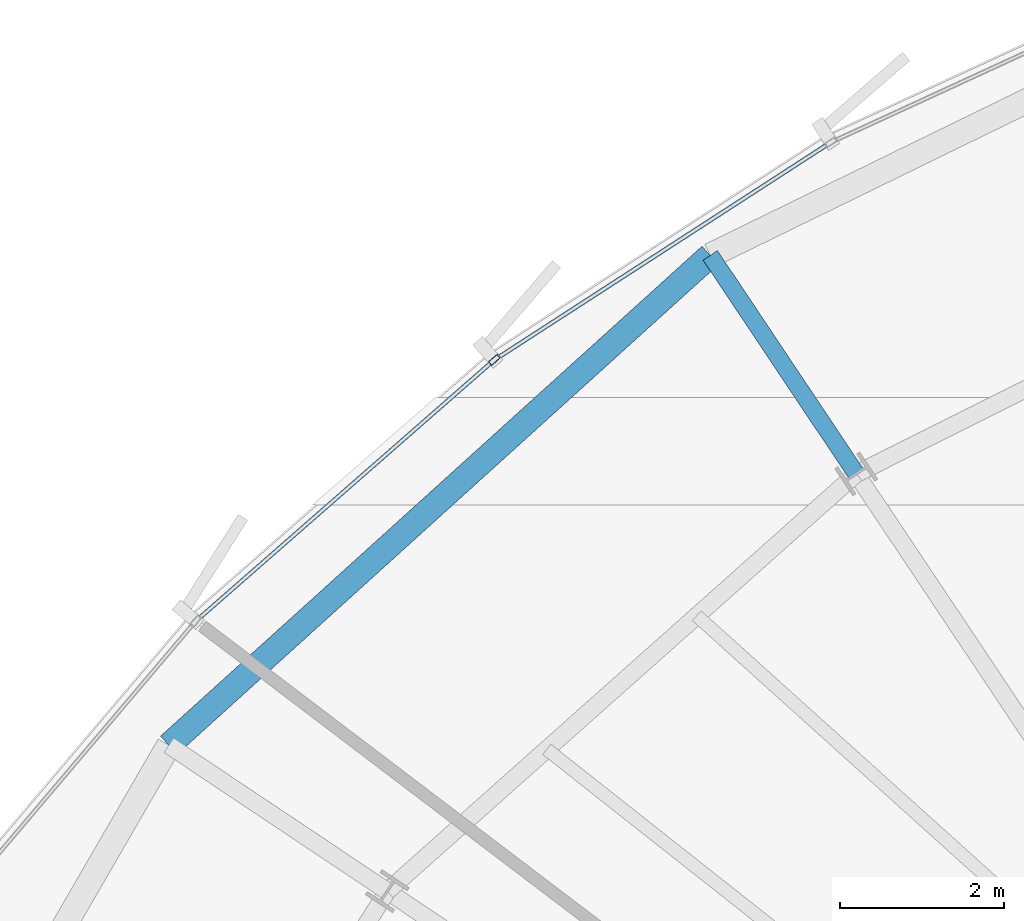
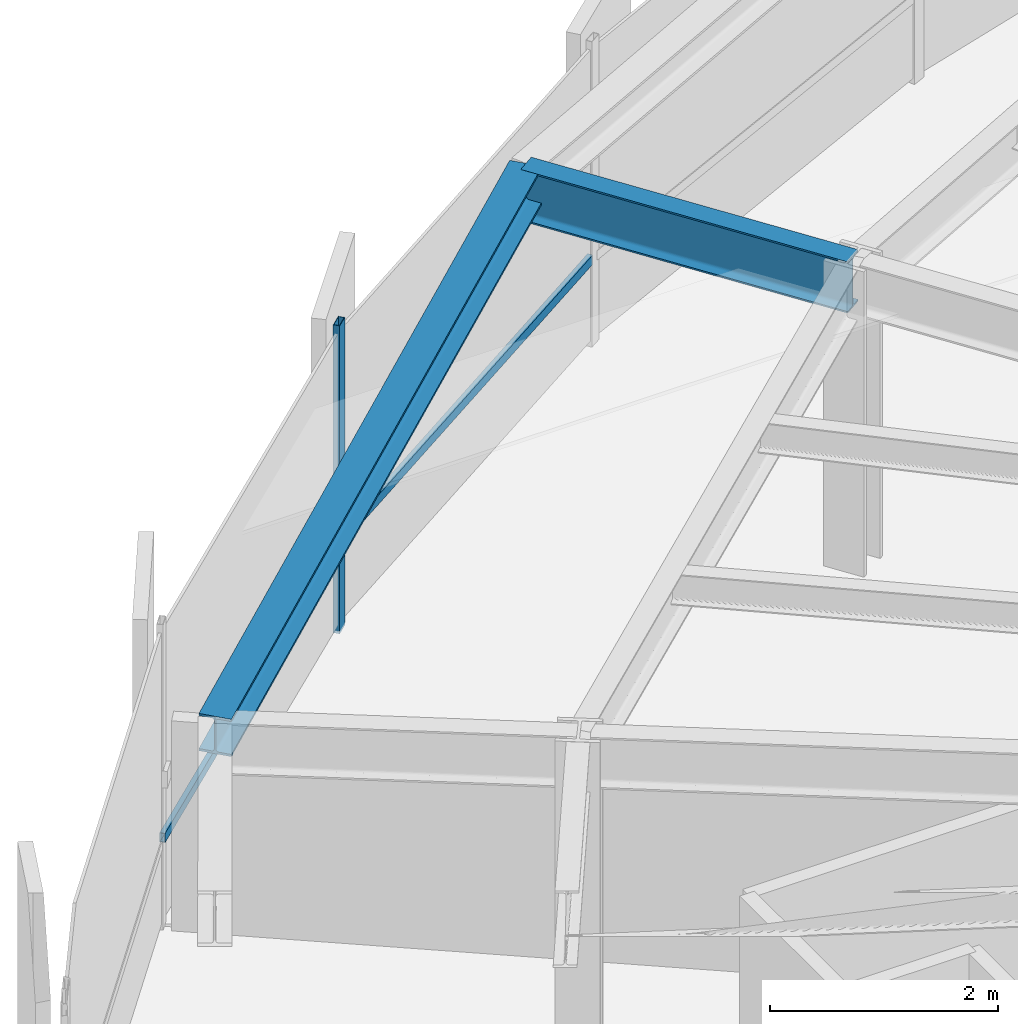
# One storey, part 19 of 36: 3 members, 2 beams, 1 element without a shape of its own.
"""IFC4 building model written with IfcOpenShell, lengths in metres."""

from ifc_helpers import new_model, si_unit, direction, frame, origin, origin_2d, place, context, subcontext, project, spatial, hollow_rectangle, i_section, extrude, source, transform, mapped, material, layer, layer_set, material_profile, profile_set, type_object, element, aggregate, save


model = new_model("IFC4")

# Units and contexts
model_context = context("Model", 3, precision=1e-05, world=origin(), true_north=direction((0.0, 1.0)))
body_context = subcontext(model_context, "Body", "Model", "MODEL_VIEW")
ifc_project = project(units=[si_unit("LENGTHUNIT", "METRE"), si_unit("AREAUNIT", "SQUARE_METRE"), si_unit("VOLUMEUNIT", "CUBIC_METRE"), si_unit("PLANEANGLEUNIT", "RADIAN"), si_unit("MASSUNIT", "GRAM", prefix="KILO"), si_unit("THERMODYNAMICTEMPERATUREUNIT", "KELVIN")], contexts=[model_context])

# Site, building, storey
site_placement = place(None, origin())
site = spatial("IfcSite", under=ifc_project, at=site_placement, CompositionType="ELEMENT")
building_placement = place(site_placement, origin())
building = spatial("IfcBuilding", under=site, at=building_placement, Name="Kethvar Cultural Tower", CompositionType="ELEMENT")
storey_placement = place(building_placement, frame((0.0, 0.0, 150.10009765625)))
storey = spatial("IfcBuildingStorey", under=building, at=storey_placement, Name="L38", CompositionType="ELEMENT", Elevation=150.10009765625)

# Beams
ifc_material_1 = material(Name="Steel S355J2", Category="steel")
ifc_material_profile_1 = material_profile(ifc_material_1, i_section(OverallWidth=0.2099609375, OverallDepth=0.550048828125, WebThickness=0.010986328125, FlangeThickness=0.01708984375, FilletRadius=0.02392578125, at=origin_2d()), Name="Steel S355J2 — IPE550")
ifc_profile_set_1 = profile_set([ifc_material_profile_1], Name="Steel S355J2 — IPE550")
beam_type_1 = type_object("IfcBeamType", Name="BM-IPE550", PredefinedType="BEAM", material=ifc_profile_set_1)
shared_shape_1 = source(origin(), body_context, "Body", "SweptSolid", [
    extrude(i_section(OverallWidth=0.2099609375, OverallDepth=0.550048828125, WebThickness=0.010986328125, FlangeThickness=0.01708984375, FilletRadius=0.02392578125, at=origin_2d()), origin(), (0.0, 0.0, 1.0), 3.2001953125),
])
beam_1_placement = place(storey_placement, frame((36.0576171875, 43.877197265625, 3.02294921875), z_axis=(-0.555544970406, 0.831486491686, 0.0), x_axis=(-0.831486491686, -0.555544970406, 0.0)))
element("IfcBeam", 1, at=beam_1_placement, inside=storey, type_object=beam_type_1, Name="L38 Perimeter Cantilever Beam RC-06", PredefinedType="BEAM", context=body_context, shape_type="MappedRepresentation", body=[
    mapped(shared_shape_1, transform((0.0, 0.0, 0.0), scale=1.0)),
])
ifc_material_profile_2 = material_profile(ifc_material_1, i_section(OverallWidth=0.300048828125, OverallDepth=0.39990234375, WebThickness=0.013427734375, FlangeThickness=0.02392578125, FilletRadius=0.027099609375, at=origin_2d()), Name="Steel S355J2 — HEB400")
ifc_profile_set_2 = profile_set([ifc_material_profile_2], Name="Steel S355J2 — HEB400")
beam_type_2 = type_object("IfcBeamType", Name="BM-SP400", PredefinedType="SPANDREL", material=ifc_profile_set_2)
shared_shape_2 = source(origin(), body_context, "Body", "SweptSolid", [
    extrude(i_section(OverallWidth=0.300048828125, OverallDepth=0.39990234375, WebThickness=0.013427734375, FlangeThickness=0.02392578125, FilletRadius=0.027099609375, at=origin_2d()), origin(), (0.0, 0.0, 1.0), 8.892822265625),
])
beam_2_placement = place(storey_placement, frame((34.27978515625, 46.5380859375, 3.097900390625), z_axis=(-0.741556591679, -0.670890319901, 0.0), x_axis=(0.670890319901, -0.741556591679, 0.0)))
element("IfcBeam", 2, at=beam_2_placement, inside=storey, type_object=beam_type_2, Name="L38 Perimeter Spandrel Beam SP-06", PredefinedType="SPANDREL", context=body_context, shape_type="MappedRepresentation", body=[
    mapped(shared_shape_2, transform((0.0, 0.0, 0.0), scale=1.0)),
])

# Curtain wall, members
ifc_material_2 = material(Name="Aluminium 6063-T6", Category="aluminium")
ifc_layer = layer(ifc_material_2, 0.179931640625, Name="Aluminium 6063-T6", Category="aluminium")
ifc_layer_set = layer_set([ifc_layer], Name="Aluminium 6063-T6 (180 mm)")
curtain_wall_type = type_object("IfcCurtainWallType", Name="CW-SYS-04-Z34", PredefinedType="NOTDEFINED", material=ifc_layer_set)
curtain_wall_placement = place(storey_placement, origin())
curtain_wall = element("IfcCurtainWall", 3, at=curtain_wall_placement, inside=storey, type_object=curtain_wall_type, Name="L38 Curtain Wall Run 02", PredefinedType="NOTDEFINED")
ifc_material_profile_3 = material_profile(ifc_material_2, hollow_rectangle(XDim=0.06005859375, YDim=0.139892578125, WallThickness=0.0048828125, at=origin_2d()), Name="Aluminium 6063-T6 — RHS140x60x5")
ifc_profile_set_3 = profile_set([ifc_material_profile_3], Name="Aluminium 6063-T6 — RHS140x60x5")
member_type_1 = type_object("IfcMemberType", Name="CW-SYS-04-Z34-MUL", PredefinedType="MULLION", material=ifc_profile_set_3)
shared_shape_3 = source(origin(), body_context, "Body", "SweptSolid", [
    extrude(hollow_rectangle(XDim=0.06005859375, YDim=0.139892578125, WallThickness=0.0048828125, at=origin_2d()), origin(), (0.0, 0.0, 1.0), 3.2998046875),
])
member_1_placement = place(storey_placement, frame((31.650390625, 45.265869140625, 0.0), z_axis=(0.0, 0.0, 1.0), x_axis=(0.658531860263, -0.75255284799, 0.0)))
member_1 = element("IfcMember", 4, at=member_1_placement, type_object=member_type_1, Name="CW-L38-R02 Mullion 5", PredefinedType="MULLION", context=body_context, shape_type="MappedRepresentation", body=[
    mapped(shared_shape_3, transform((0.0, 0.0, 0.0), scale=1.0)),
])
ifc_material_profile_4 = material_profile(ifc_material_2, hollow_rectangle(XDim=0.050048828125, YDim=0.10009765625, WallThickness=0.00390625, at=origin_2d()), Name="Aluminium 6063-T6 — RHS100x50x4")
ifc_profile_set_4 = profile_set([ifc_material_profile_4], Name="Aluminium 6063-T6 — RHS100x50x4")
member_type_2 = type_object("IfcMemberType", Name="CW-SYS-04-Z34-TRN", PredefinedType="USERDEFINED", material=ifc_profile_set_4)
shared_shape_4 = source(origin(), body_context, "Body", "SweptSolid", [
    extrude(hollow_rectangle(XDim=0.050048828125, YDim=0.10009765625, WallThickness=0.00390625, at=origin_2d()), origin(), (0.0, 0.0, 1.0), 4.81103515625),
])
member_2_placement = place(storey_placement, frame((35.71337890625, 47.893310546875, 0.949951171875), z_axis=(-0.839583771526, -0.543230237183, 0.0), x_axis=(0.543230237183, -0.839583771526, 0.0)))
member_2 = element("IfcMember", 5, at=member_2_placement, type_object=member_type_2, Name="CW-L38-R02 Transom 4", ObjectType="TRANSOM", PredefinedType="USERDEFINED", context=body_context, shape_type="MappedRepresentation", body=[
    mapped(shared_shape_4, transform((0.0, 0.0, 0.0), scale=1.0)),
])
shared_shape_5 = source(origin(), body_context, "Body", "SweptSolid", [
    extrude(hollow_rectangle(XDim=0.050048828125, YDim=0.10009765625, WallThickness=0.00390625, at=origin_2d()), origin(), (0.0, 0.0, 1.0), 4.76318359375),
])
member_3_placement = place(storey_placement, frame((31.617919921875, 45.237548828125, 0.949951171875), z_axis=(-0.752544942144, -0.658540894746, 0.0), x_axis=(0.658540894746, -0.752544942144, 0.0)))
member_3 = element("IfcMember", 6, at=member_3_placement, type_object=member_type_2, Name="CW-L38-R02 Transom 5", ObjectType="TRANSOM", PredefinedType="USERDEFINED", context=body_context, shape_type="MappedRepresentation", body=[
    mapped(shared_shape_5, transform((0.0, 0.0, 0.0), scale=1.0)),
])
aggregate(curtain_wall, [member_1, member_2, member_3])

save(model, "model.ifc")
